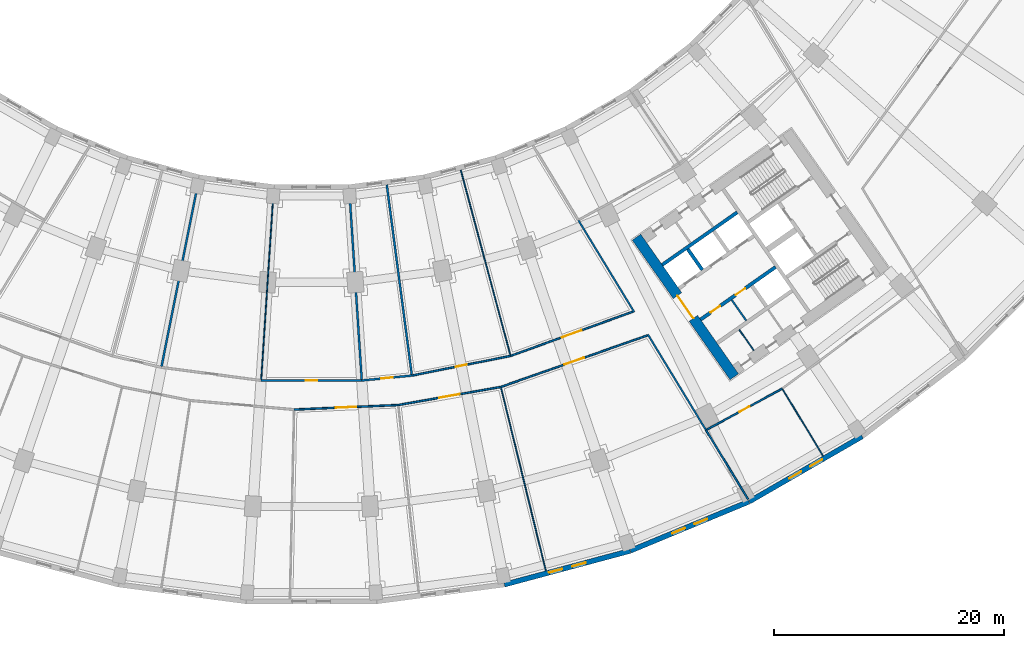
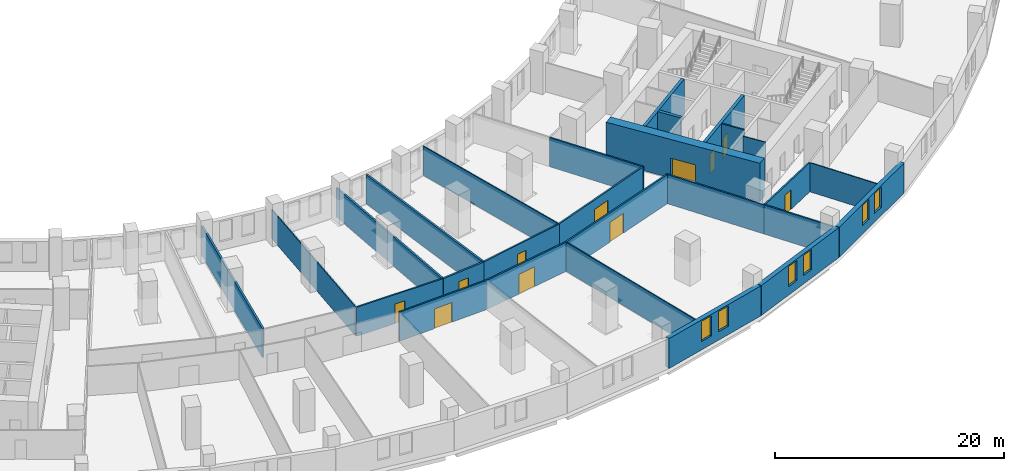
# One storey, part 9 of 20: 27 walls, 11 doors, 6 windows, 17 openings.
"""IFC4 building model written with IfcOpenShell, lengths in metres."""

from ifc_helpers import new_model, si_unit, direction, frame, frame_2d, origin, place, context, subcontext, project, spatial, rectangle, extrude, material, layer, layer_set, type_object, element, fill, save


model = new_model("IFC4")

# Units and contexts
model_context = context("Model", 3, precision=1e-05, world=origin(), true_north=direction((0.0, 1.0)))
body_context = subcontext(model_context, "Body", "Model", "MODEL_VIEW")
ifc_project = project(units=[si_unit("LENGTHUNIT", "METRE"), si_unit("AREAUNIT", "SQUARE_METRE"), si_unit("VOLUMEUNIT", "CUBIC_METRE"), si_unit("PLANEANGLEUNIT", "RADIAN"), si_unit("MASSUNIT", "GRAM", prefix="KILO")], contexts=[model_context])

# Site, building, storey
site_placement = place(None, origin())
site = spatial("IfcSite", under=ifc_project, at=site_placement, CompositionType="ELEMENT")
building_placement = place(site_placement, origin())
building = spatial("IfcBuilding", under=site, at=building_placement, Name="Qamariyya Broadcast Tower", CompositionType="ELEMENT")
storey_placement = place(building_placement, frame((0.0, 0.0, 31.5)))
storey = spatial("IfcBuildingStorey", under=building, at=storey_placement, Name="L04", CompositionType="ELEMENT", Elevation=31.5)

# Wall, opening, door
ifc_material_1 = material(Name="Concrete C70/85", Category="concrete")
ifc_layer_1 = layer(ifc_material_1, 0.89990234375)
ifc_layer_set_1 = layer_set([ifc_layer_1], Name="Core wall 900 mm Concrete C70/85")
wall_type_1 = type_object("IfcWallType", Name="Core wall 900 mm Concrete C70/85", PredefinedType="SHEAR", material=ifc_layer_set_1)
wall_1_placement = place(storey_placement, frame((36.716796875, -66.3369140625, 0.0), z_axis=(0.0, 0.0, 1.0), x_axis=(-0.573577477574, 0.819151315216, 0.0)))
wall_1 = element("IfcWall", 1, at=wall_1_placement, inside=storey, type_object=wall_type_1, Name="k-E-L04-WA", PredefinedType="SHEAR", context=body_context, shape_type="SweptSolid", body=[
    extrude(rectangle(XDim=14.800048828125, YDim=0.89990234375, at=frame_2d((7.39990234375, 0.0))), origin(), (0.0, 0.0, 1.0), 4.10009765625),
])
opening_1_placement = place(wall_1_placement, frame((6.199951171875, 0.0, 0.0)))
opening_1 = element("IfcOpeningElement", 2, at=opening_1_placement, cuts=wall_1, Name="Opening KD3-E1", PredefinedType="OPENING", context=body_context, shape_type="SweptSolid", body=[
    extrude(rectangle(XDim=2.39990234375, YDim=2.10009765625, at=frame_2d((1.199951171875, 1.050048828125))), frame((0.0, 0.4599609375, 0.0), z_axis=(0.0, -1.0, 0.0), x_axis=(1.0, 0.0, 0.0)), (0.0, 0.0, 1.0), 0.919921875),
])
ifc_material_2 = material(Name="Steel fire-resisting door leaf", Category="steel")
door_type_1 = type_object("IfcDoorType", Name="Lift lobby door KD3", OperationType="DOUBLE_DOOR_SINGLE_SWING", PredefinedType="DOOR", material=ifc_material_2)
door_1_placement = place(opening_1_placement, origin())
door_1 = element("IfcDoor", 3, at=door_1_placement, inside=storey, type_object=door_type_1, Name="k-E-L04-WA-D1", OperationType="DOUBLE_DOOR_SINGLE_SWING", OverallHeight=2.10009765625, OverallWidth=2.39990234375, PredefinedType="DOOR", context=body_context, shape_type="SweptSolid", body=[
    extrude(rectangle(XDim=2.39990234375, YDim=2.10009765625, at=frame_2d((1.199951171875, 1.050048828125))), frame((0.0, 0.02490234375, 0.0), z_axis=(0.0, -1.0, 0.0), x_axis=(1.0, 0.0, 0.0)), (0.0, 0.0, 1.0), 0.050048828125),
])
fill(opening_1, door_1)

ifc_material_3 = material(Name="Gypsum board partition")
ifc_layer_2 = layer(ifc_material_3, 0.14990234375)
ifc_layer_set_2 = layer_set([ifc_layer_2], Name="Corridor partition 150 EI 60")
wall_type_2 = type_object("IfcWallType", Name="Corridor partition 150 EI 60", PredefinedType="PARTITIONING", material=ifc_layer_set_2)
wall_2_placement = place(storey_placement, frame((-4.368896484375, -66.656982421875, 0.0), z_axis=(0.0, 0.0, 1.0), x_axis=(1.0, 0.0, 0.0)))
wall_2 = element("IfcWall", 4, at=wall_2_placement, inside=storey, type_object=wall_type_2, Name="Partition L04-032", PredefinedType="PARTITIONING", context=body_context, shape_type="SweptSolid", body=[
    extrude(rectangle(XDim=8.73779296875, YDim=0.14990234375, at=frame_2d((4.368896484375, 0.0))), origin(), (0.0, 0.0, 1.0), 3.10009765625),
])
opening_2_placement = place(wall_2_placement, frame((3.868896484375, 0.0, 0.0)))
opening_2 = element("IfcOpeningElement", 5, at=opening_2_placement, cuts=wall_2, Name="Opening L04-D11", PredefinedType="OPENING", context=body_context, shape_type="SweptSolid", body=[
    extrude(rectangle(XDim=1.0, YDim=2.10009765625, at=frame_2d((0.5, 1.050048828125))), frame((0.0, 0.0849609375, 0.0), z_axis=(0.0, -1.0, 0.0), x_axis=(1.0, 0.0, 0.0)), (0.0, 0.0, 1.0), 0.169921875),
])
ifc_material_4 = material(Name="Timber fire door leaf", Category="wood")
door_type_2 = type_object("IfcDoorType", Name="Fire door 1000 x 2100 FD60", OperationType="NOTDEFINED", PredefinedType="DOOR", material=ifc_material_4)
door_2_placement = place(opening_2_placement, origin())
door_2 = element("IfcDoor", 6, at=door_2_placement, inside=storey, type_object=door_type_2, Name="Door L04-D11", OperationType="SINGLE_SWING_RIGHT", OverallHeight=2.10009765625, OverallWidth=1.0, PredefinedType="DOOR", context=body_context, shape_type="SweptSolid", body=[
    extrude(rectangle(XDim=1.0, YDim=2.10009765625, at=frame_2d((0.5, 1.050048828125))), frame((0.0, 0.02490234375, 0.0), z_axis=(0.0, -1.0, 0.0), x_axis=(1.0, 0.0, 0.0)), (0.0, 0.0, 1.0), 0.050048828125),
])
fill(opening_2, door_2)

wall_3_placement = place(storey_placement, frame((7.53173828125, -68.788818359375, 0.0), z_axis=(0.0, 0.0, 1.0), x_axis=(-0.999048509506, -0.043612792308, 0.0)))
wall_3 = element("IfcWall", 7, at=wall_3_placement, inside=storey, type_object=wall_type_2, Name="Partition L04-035", PredefinedType="PARTITIONING", context=body_context, shape_type="SweptSolid", body=[
    extrude(rectangle(XDim=9.0517578125, YDim=0.14990234375, at=frame_2d((4.52587890625, 0.0))), origin(), (0.0, 0.0, 1.0), 3.10009765625),
])
opening_3_placement = place(wall_3_placement, frame((3.6259765625, 0.0, 0.0)))
opening_3 = element("IfcOpeningElement", 8, at=opening_3_placement, cuts=wall_3, Name="Opening L04-D05", PredefinedType="OPENING", context=body_context, shape_type="SweptSolid", body=[
    extrude(rectangle(XDim=1.800048828125, YDim=2.10009765625, at=frame_2d((0.89990234375, 1.050048828125))), frame((0.0, 0.0849609375, 0.0), z_axis=(0.0, -1.0, 0.0), x_axis=(1.0, 0.0, 0.0)), (0.0, 0.0, 1.0), 0.169921875),
])
door_type_3 = type_object("IfcDoorType", Name="Double fire door 1800 x 2100 FD60", OperationType="NOTDEFINED", PredefinedType="DOOR", material=ifc_material_4)
door_3_placement = place(opening_3_placement, origin())
door_3 = element("IfcDoor", 9, at=door_3_placement, inside=storey, type_object=door_type_3, Name="Door L04-D05", OperationType="DOUBLE_DOOR_SINGLE_SWING", OverallHeight=2.10009765625, OverallWidth=1.800048828125, PredefinedType="DOOR", context=body_context, shape_type="SweptSolid", body=[
    extrude(rectangle(XDim=1.800048828125, YDim=2.10009765625, at=frame_2d((0.89990234375, 1.050048828125))), frame((0.0, 0.02490234375, 0.0), z_axis=(0.0, -1.0, 0.0), x_axis=(1.0, 0.0, 0.0)), (0.0, 0.0, 1.0), 0.050048828125),
])
fill(opening_3, door_3)

wall_4_placement = place(storey_placement, frame((16.446044921875, -67.21728515625, 0.0), z_axis=(0.0, 0.0, 1.0), x_axis=(-0.984813412134, -0.173616080133, 0.0)))
wall_4 = element("IfcWall", 10, at=wall_4_placement, inside=storey, type_object=wall_type_2, Name="Partition L04-039", PredefinedType="PARTITIONING", context=body_context, shape_type="SweptSolid", body=[
    extrude(rectangle(XDim=9.0517578125, YDim=0.14990234375, at=frame_2d((4.52587890625, 0.0))), origin(), (0.0, 0.0, 1.0), 3.10009765625),
])
opening_4_placement = place(wall_4_placement, frame((3.6259765625, 0.0, 0.0)))
opening_4 = element("IfcOpeningElement", 11, at=opening_4_placement, cuts=wall_4, Name="Opening L04-D06", PredefinedType="OPENING", context=body_context, shape_type="SweptSolid", body=[
    extrude(rectangle(XDim=1.800048828125, YDim=2.10009765625, at=frame_2d((0.89990234375, 1.050048828125))), frame((0.0, 0.0849609375, 0.0), z_axis=(0.0, -1.0, 0.0), x_axis=(1.0, 0.0, 0.0)), (0.0, 0.0, 1.0), 0.169921875),
])
door_4_placement = place(opening_4_placement, origin())
door_4 = element("IfcDoor", 12, at=door_4_placement, inside=storey, type_object=door_type_3, Name="Door L04-D06", OperationType="DOUBLE_DOOR_SINGLE_SWING", OverallHeight=2.10009765625, OverallWidth=1.800048828125, PredefinedType="DOOR", context=body_context, shape_type="SweptSolid", body=[
    extrude(rectangle(XDim=1.800048828125, YDim=2.10009765625, at=frame_2d((0.89990234375, 1.050048828125))), frame((0.0, 0.02490234375, 0.0), z_axis=(0.0, -1.0, 0.0), x_axis=(1.0, 0.0, 0.0)), (0.0, 0.0, 1.0), 0.050048828125),
])
fill(opening_4, door_4)

wall_5_placement = place(storey_placement, frame((8.71923828125, -66.228515625, 0.0), z_axis=(0.0, 0.0, 1.0), x_axis=(0.980786466832, 0.195084357342, 0.0)))
wall_5 = element("IfcWall", 13, at=wall_5_placement, inside=storey, type_object=wall_type_2, Name="Partition L04-040", PredefinedType="PARTITIONING", context=body_context, shape_type="SweptSolid", body=[
    extrude(rectangle(XDim=8.73779296875, YDim=0.14990234375, at=frame_2d((4.368896484375, 0.0))), origin(), (0.0, 0.0, 1.0), 3.10009765625),
])
opening_5_placement = place(wall_5_placement, frame((3.868896484375, 0.0, 0.0)))
opening_5 = element("IfcOpeningElement", 14, at=opening_5_placement, cuts=wall_5, Name="Opening L04-D13", PredefinedType="OPENING", context=body_context, shape_type="SweptSolid", body=[
    extrude(rectangle(XDim=1.0, YDim=2.10009765625, at=frame_2d((0.5, 1.050048828125))), frame((0.0, 0.0849609375, 0.0), z_axis=(0.0, -1.0, 0.0), x_axis=(1.0, 0.0, 0.0)), (0.0, 0.0, 1.0), 0.169921875),
])
door_5_placement = place(opening_5_placement, origin())
door_5 = element("IfcDoor", 15, at=door_5_placement, inside=storey, type_object=door_type_2, Name="Door L04-D13", OperationType="SINGLE_SWING_RIGHT", OverallHeight=2.10009765625, OverallWidth=1.0, PredefinedType="DOOR", context=body_context, shape_type="SweptSolid", body=[
    extrude(rectangle(XDim=1.0, YDim=2.10009765625, at=frame_2d((0.5, 1.050048828125))), frame((0.0, 0.02490234375, 0.0), z_axis=(0.0, -1.0, 0.0), x_axis=(1.0, 0.0, 0.0)), (0.0, 0.0, 1.0), 0.050048828125),
])
fill(opening_5, door_5)

wall_6_placement = place(storey_placement, frame((29.174560546875, -62.7412109375, 0.0), z_axis=(0.0, 0.0, 1.0), x_axis=(-0.94336986797, -0.33174281033, 0.0)))
wall_6 = element("IfcWall", 16, at=wall_6_placement, inside=storey, type_object=wall_type_2, Name="Partition L04-043", PredefinedType="PARTITIONING", context=body_context, shape_type="SweptSolid", body=[
    extrude(rectangle(XDim=13.49267578125, YDim=0.14990234375, at=frame_2d((6.746337890625, 0.0))), origin(), (0.0, 0.0, 1.0), 3.10009765625),
])
opening_6_placement = place(wall_6_placement, frame((5.846435546875, 0.0, 0.0)))
opening_6 = element("IfcOpeningElement", 17, at=opening_6_placement, cuts=wall_6, Name="Opening L04-D07", PredefinedType="OPENING", context=body_context, shape_type="SweptSolid", body=[
    extrude(rectangle(XDim=1.800048828125, YDim=2.10009765625, at=frame_2d((0.89990234375, 1.050048828125))), frame((0.0, 0.0849609375, 0.0), z_axis=(0.0, -1.0, 0.0), x_axis=(1.0, 0.0, 0.0)), (0.0, 0.0, 1.0), 0.169921875),
])
door_6_placement = place(opening_6_placement, origin())
door_6 = element("IfcDoor", 18, at=door_6_placement, inside=storey, type_object=door_type_3, Name="Door L04-D07", OperationType="DOUBLE_DOOR_SINGLE_SWING", OverallHeight=2.10009765625, OverallWidth=1.800048828125, PredefinedType="DOOR", context=body_context, shape_type="SweptSolid", body=[
    extrude(rectangle(XDim=1.800048828125, YDim=2.10009765625, at=frame_2d((0.89990234375, 1.050048828125))), frame((0.0, 0.02490234375, 0.0), z_axis=(0.0, -1.0, 0.0), x_axis=(1.0, 0.0, 0.0)), (0.0, 0.0, 1.0), 0.050048828125),
])
fill(opening_6, door_6)

wall_7_placement = place(storey_placement, frame((17.2890625, -64.52392578125, 0.0), z_axis=(0.0, 0.0, 1.0), x_axis=(0.940369024046, 0.340155991589, 0.0)))
wall_7 = element("IfcWall", 19, at=wall_7_placement, inside=storey, type_object=wall_type_2, Name="Partition L04-044", PredefinedType="PARTITIONING", context=body_context, shape_type="SweptSolid", body=[
    extrude(rectangle(XDim=11.304931640625, YDim=0.14990234375, at=frame_2d((5.65234375, 0.0))), origin(), (0.0, 0.0, 1.0), 3.10009765625),
])
opening_7_placement = place(wall_7_placement, frame((4.75244140625, 0.0, 0.0)))
opening_7 = element("IfcOpeningElement", 20, at=opening_7_placement, cuts=wall_7, Name="Opening L04-D14", PredefinedType="OPENING", context=body_context, shape_type="SweptSolid", body=[
    extrude(rectangle(XDim=1.800048828125, YDim=2.10009765625, at=frame_2d((0.89990234375, 1.050048828125))), frame((0.0, 0.0849609375, 0.0), z_axis=(0.0, -1.0, 0.0), x_axis=(1.0, 0.0, 0.0)), (0.0, 0.0, 1.0), 0.169921875),
])
door_7_placement = place(opening_7_placement, origin())
door_7 = element("IfcDoor", 21, at=door_7_placement, inside=storey, type_object=door_type_3, Name="Door L04-D14", OperationType="DOUBLE_DOOR_SINGLE_SWING", OverallHeight=2.10009765625, OverallWidth=1.800048828125, PredefinedType="DOOR", context=body_context, shape_type="SweptSolid", body=[
    extrude(rectangle(XDim=1.800048828125, YDim=2.10009765625, at=frame_2d((0.89990234375, 1.050048828125))), frame((0.0, 0.02490234375, 0.0), z_axis=(0.0, -1.0, 0.0), x_axis=(1.0, 0.0, 0.0)), (0.0, 0.0, 1.0), 0.050048828125),
])
fill(opening_7, door_7)

# Walls
wall_8_placement = place(storey_placement, frame((23.174072265625, -52.732421875, 0.0), z_axis=(0.0, 0.0, 1.0), x_axis=(0.519577254173, -0.854423476355, 0.0)))
element("IfcWall", 22, at=wall_8_placement, inside=storey, type_object=wall_type_2, Name="Partition L04-047", PredefinedType="PARTITIONING", context=body_context, shape_type="SweptSolid", body=[
    extrude(rectangle(XDim=9.344970703125, YDim=0.14990234375, at=frame_2d((4.67236328125, 0.0))), origin(), (0.0, 0.0, 1.0), 3.10009765625),
])
wall_9_placement = place(storey_placement, frame((29.20654296875, -62.65234375, 0.0), z_axis=(0.0, 0.0, 1.0), x_axis=(0.519573423316, -0.854425805897, 0.0)))
element("IfcWall", 23, at=wall_9_placement, inside=storey, type_object=wall_type_2, Name="Partition L04-050", PredefinedType="PARTITIONING", context=body_context, shape_type="SweptSolid", body=[
    extrude(rectangle(XDim=9.72607421875, YDim=0.14990234375, at=frame_2d((4.863037109375, 0.0))), origin(), (0.0, 0.0, 1.0), 3.10009765625),
])
wall_10_placement = place(storey_placement, frame((34.260009765625, -70.962646484375, 0.0), z_axis=(0.0, 0.0, 1.0), x_axis=(0.519582317334, -0.854420397412, 0.0)))
element("IfcWall", 24, at=wall_10_placement, inside=storey, type_object=wall_type_2, Name="Partition L04-052", PredefinedType="PARTITIONING", context=body_context, shape_type="SweptSolid", body=[
    extrude(rectangle(XDim=7.03173828125, YDim=0.14990234375, at=frame_2d((3.515869140625, 0.0))), origin(), (0.0, 0.0, 1.0), 3.10009765625),
])

# Wall, opening, door
wall_11_placement = place(storey_placement, frame((40.881103515625, -67.365966796875, 0.0), z_axis=(0.0, 0.0, 1.0), x_axis=(-0.87872597875, -0.477326569835, 0.0)))
wall_11 = element("IfcWall", 25, at=wall_11_placement, inside=storey, type_object=wall_type_2, Name="Partition L04-053", PredefinedType="PARTITIONING", context=body_context, shape_type="SweptSolid", body=[
    extrude(rectangle(XDim=7.4599609375, YDim=0.14990234375, at=frame_2d((3.72998046875, 0.0))), origin(), (0.0, 0.0, 1.0), 3.10009765625),
])
opening_8_placement = place(wall_11_placement, frame((3.22998046875, 0.0, 0.0)))
opening_8 = element("IfcOpeningElement", 26, at=opening_8_placement, cuts=wall_11, Name="Opening L04-D24", PredefinedType="OPENING", context=body_context, shape_type="SweptSolid", body=[
    extrude(rectangle(XDim=1.0, YDim=2.10009765625, at=frame_2d((0.5, 1.050048828125))), frame((0.0, 0.0849609375, 0.0), z_axis=(0.0, -1.0, 0.0), x_axis=(1.0, 0.0, 0.0)), (0.0, 0.0, 1.0), 0.169921875),
])
door_8_placement = place(opening_8_placement, origin())
door_8 = element("IfcDoor", 27, at=door_8_placement, inside=storey, type_object=door_type_2, Name="Door L04-D24", OperationType="SINGLE_SWING_RIGHT", OverallHeight=2.10009765625, OverallWidth=1.0, PredefinedType="DOOR", context=body_context, shape_type="SweptSolid", body=[
    extrude(rectangle(XDim=1.0, YDim=2.10009765625, at=frame_2d((0.5, 1.050048828125))), frame((0.0, 0.02490234375, 0.0), z_axis=(0.0, -1.0, 0.0), x_axis=(1.0, 0.0, 0.0)), (0.0, 0.0, 1.0), 0.050048828125),
])
fill(opening_8, door_8)

# Walls
ifc_material_5 = material(Name="Gypsum board partition on steel studs", Category="steel")
ifc_layer_3 = layer(ifc_material_5, 0.14990234375)
ifc_layer_set_3 = layer_set([ifc_layer_3], Name="Gypsum board partition 150 mm")
wall_type_3 = type_object("IfcWallType", Name="Gypsum board partition 150 mm", PredefinedType="PARTITIONING", material=ifc_layer_set_3)
wall_12_placement = place(storey_placement, frame((36.49462890625, -59.65625, 0.0), z_axis=(0.0, 0.0, 1.0), x_axis=(0.573633636671, -0.819111989218, 0.0)))
element("IfcWall", 28, at=wall_12_placement, inside=storey, type_object=wall_type_3, Name="k-E-L04-SC320", PredefinedType="PARTITIONING", context=body_context, shape_type="SweptSolid", body=[
    extrude(rectangle(XDim=2.199951171875, YDim=0.14990234375, at=frame_2d((1.10009765625, 0.0))), origin(), (0.0, 0.0, 1.0), 4.10009765625),
])
ifc_material_6 = material(Name="Concrete C60/75", Category="concrete")
ifc_layer_4 = layer(ifc_material_6, 0.300048828125)
ifc_layer_set_4 = layer_set([ifc_layer_4], Name="Lift shaft wall 300 mm Concrete C60/75")
wall_type_4 = type_object("IfcWallType", Name="Lift shaft wall 300 mm Concrete C60/75", PredefinedType="SOLIDWALL", material=ifc_layer_set_4)
wall_13_placement = place(storey_placement, frame((30.460693359375, -56.61767578125, 0.0), z_axis=(0.0, 0.0, 1.0), x_axis=(0.819142461705, 0.573590121456, 0.0)))
element("IfcWall", 29, at=wall_13_placement, inside=storey, type_object=wall_type_4, Name="k-E-L04-NB0", PredefinedType="SOLIDWALL", context=body_context, shape_type="SweptSolid", body=[
    extrude(rectangle(XDim=7.949951171875, YDim=0.300048828125, at=frame_2d((3.97509765625, 0.0))), origin(), (0.0, 0.0, 1.0), 4.10009765625),
])
wall_14_placement = place(storey_placement, frame((33.9384765625, -57.051513671875, 0.0), z_axis=(0.0, 0.0, 1.0), x_axis=(-0.573581496053, 0.819148501424, 0.0)))
element("IfcWall", 30, at=wall_14_placement, inside=storey, type_object=wall_type_4, Name="k-E-L04-ND0", PredefinedType="SOLIDWALL", context=body_context, shape_type="SweptSolid", body=[
    extrude(rectangle(XDim=2.2001953125, YDim=0.300048828125, at=frame_2d((1.10009765625, 0.0))), origin(), (0.0, 0.0, 1.0), 4.10009765625),
])

# Wall, openings, doors
wall_15_placement = place(storey_placement, frame((33.787353515625, -61.368896484375, 0.0), z_axis=(0.0, 0.0, 1.0), x_axis=(0.819152564888, 0.573575692858, 0.0)))
wall_15 = element("IfcWall", 31, at=wall_15_placement, inside=storey, type_object=wall_type_4, Name="k-E-L04-SF0", PredefinedType="SOLIDWALL", context=body_context, shape_type="SweptSolid", body=[
    extrude(rectangle(XDim=7.9501953125, YDim=0.300048828125, at=frame_2d((3.97509765625, 0.0))), origin(), (0.0, 0.0, 1.0), 4.10009765625),
])
opening_9_placement = place(wall_15_placement, frame((1.0625, 0.0, 0.0)))
opening_9 = element("IfcOpeningElement", 32, at=opening_9_placement, cuts=wall_15, Name="Opening KD6-E1", PredefinedType="OPENING", context=body_context, shape_type="SweptSolid", body=[
    extrude(rectangle(XDim=1.0, YDim=2.10009765625, at=frame_2d((0.5, 1.050048828125))), frame((0.0, 0.159912109375, 0.0), z_axis=(0.0, -1.0, 0.0), x_axis=(1.0, 0.0, 0.0)), (0.0, 0.0, 1.0), 0.320068359375),
])
opening_10_placement = place(wall_15_placement, frame((3.737548828125, 0.0, 0.0)))
opening_10 = element("IfcOpeningElement", 33, at=opening_10_placement, cuts=wall_15, Name="Opening KD6-E2", PredefinedType="OPENING", context=body_context, shape_type="SweptSolid", body=[
    extrude(rectangle(XDim=1.0, YDim=2.10009765625, at=frame_2d((0.5, 1.050048828125))), frame((0.0, 0.159912109375, 0.0), z_axis=(0.0, -1.0, 0.0), x_axis=(1.0, 0.0, 0.0)), (0.0, 0.0, 1.0), 0.320068359375),
])
door_type_4 = type_object("IfcDoorType", Name="Core room door KD6", OperationType="SINGLE_SWING_LEFT", PredefinedType="DOOR", material=ifc_material_2)
door_9_placement = place(opening_9_placement, origin())
door_9 = element("IfcDoor", 34, at=door_9_placement, inside=storey, type_object=door_type_4, Name="k-E-L04-SF0-D5", OperationType="SINGLE_SWING_LEFT", OverallHeight=2.10009765625, OverallWidth=1.0, PredefinedType="DOOR", context=body_context, shape_type="SweptSolid", body=[
    extrude(rectangle(XDim=1.0, YDim=2.10009765625, at=frame_2d((0.5, 1.050048828125))), frame((0.0, 0.02490234375, 0.0), z_axis=(0.0, -1.0, 0.0), x_axis=(1.0, 0.0, 0.0)), (0.0, 0.0, 1.0), 0.050048828125),
])
fill(opening_9, door_9)
door_10_placement = place(opening_10_placement, origin())
door_10 = element("IfcDoor", 35, at=door_10_placement, inside=storey, type_object=door_type_4, Name="k-E-L04-SF0-D6", OperationType="SINGLE_SWING_RIGHT", OverallHeight=2.10009765625, OverallWidth=1.0, PredefinedType="DOOR", context=body_context, shape_type="SweptSolid", body=[
    extrude(rectangle(XDim=1.0, YDim=2.10009765625, at=frame_2d((0.5, 1.050048828125))), frame((0.0, 0.02490234375, 0.0), z_axis=(0.0, -1.0, 0.0), x_axis=(1.0, 0.0, 0.0)), (0.0, 0.0, 1.0), 0.050048828125),
])
fill(opening_10, door_10)

# Walls
ifc_layer_5 = layer(ifc_material_3, 0.10009765625)
ifc_layer_set_5 = layer_set([ifc_layer_5], Name="Partition 100")
wall_type_5 = type_object("IfcWallType", Name="Partition 100", PredefinedType="PARTITIONING", material=ifc_layer_set_5)
wall_16_placement = place(storey_placement, frame((-3.283203125, -50.092529296875, 0.0), z_axis=(0.0, 0.0, 1.0), x_axis=(-0.065405026615, -0.997858798876, 0.0)))
element("IfcWall", 36, at=wall_16_placement, inside=storey, type_object=wall_type_5, Name="Partition L04-033", PredefinedType="PARTITIONING", context=body_context, shape_type="SweptSolid", body=[
    extrude(rectangle(XDim=16.52490234375, YDim=0.10009765625, at=frame_2d((8.262451171875, 0.0))), origin(), (0.0, 0.0, 1.0), 3.10009765625),
])
wall_17_placement = place(storey_placement, frame((12.965087890625, -48.386474609375, 0.0), z_axis=(0.0, 0.0, 1.0), x_axis=(0.258824622624, -0.965924331779, 0.0)))
element("IfcWall", 37, at=wall_17_placement, inside=storey, type_object=wall_type_5, Name="Partition L04-042", PredefinedType="PARTITIONING", context=body_context, shape_type="SweptSolid", body=[
    extrude(rectangle(XDim=16.631591796875, YDim=0.10009765625, at=frame_2d((8.31591796875, 0.0))), origin(), (0.0, 0.0, 1.0), 3.10009765625),
])
wall_18_placement = place(storey_placement, frame((20.35205078125, -83.182373046875, 0.0), z_axis=(0.0, 0.0, 1.0), x_axis=(-0.23765209547, 0.971350339228, 0.0)))
element("IfcWall", 38, at=wall_18_placement, inside=storey, type_object=wall_type_5, Name="Partition L04-046", PredefinedType="PARTITIONING", context=body_context, shape_type="SweptSolid", body=[
    extrude(rectangle(XDim=16.36083984375, YDim=0.10009765625, at=frame_2d((8.180419921875, 0.0))), origin(), (0.0, 0.0, 1.0), 3.10009765625),
])
wall_19_placement = place(storey_placement, frame((44.427734375, -73.2099609375, 0.0), z_axis=(0.0, 0.0, 1.0), x_axis=(-0.518790606157, 0.85490134341, 0.0)))
element("IfcWall", 39, at=wall_19_placement, inside=storey, type_object=wall_type_5, Name="Partition L04-057", PredefinedType="PARTITIONING", context=body_context, shape_type="SweptSolid", body=[
    extrude(rectangle(XDim=6.760986328125, YDim=0.10009765625, at=frame_2d((3.38037109375, 0.0))), origin(), (0.0, 0.0, 1.0), 3.10009765625),
])

# Wall, openings, windows
ifc_material_7 = material(Name="Precast concrete C40/50 with terracotta facing", Category="masonry")
ifc_layer_6 = layer(ifc_material_7, 0.449951171875)
ifc_layer_set_6 = layer_set([ifc_layer_6], Name="Precast concrete C40/50 wall 450, terracotta faced")
wall_type_6 = type_object("IfcWallType", Name="Precast concrete C40/50 wall 450, terracotta faced", PredefinedType="SOLIDWALL", material=ifc_layer_set_6)
wall_20_placement = place(storey_placement, frame((16.753662109375, -84.37939453125, 0.0), z_axis=(0.0, 0.0, 1.0), x_axis=(0.965923678926, 0.258827059038, 0.0)))
wall_20 = element("IfcWall", 40, at=wall_20_placement, inside=storey, type_object=wall_type_6, Name="e-wl-L04-out120", PredefinedType="SOLIDWALL", context=body_context, shape_type="SweptSolid", body=[
    extrude(rectangle(XDim=11.3125, YDim=0.449951171875, at=frame_2d((5.65625, 0.0))), origin(), (0.0, 0.0, 1.0), 3.199951171875),
])
opening_11_placement = place(wall_20_placement, frame((4.00634765625, 0.0, 0.89990234375)))
opening_11 = element("IfcOpeningElement", 41, at=opening_11_placement, cuts=wall_20, Name="Opening W3", PredefinedType="OPENING", context=body_context, shape_type="SweptSolid", body=[
    extrude(rectangle(XDim=1.199951171875, YDim=2.14990234375, at=frame_2d((0.60009765625, 1.074951171875))), frame((0.0, 0.23486328125, 0.0), z_axis=(0.0, -1.0, 0.0), x_axis=(1.0, 0.0, 0.0)), (0.0, 0.0, 1.0), 0.469970703125),
])
opening_12_placement = place(wall_20_placement, frame((6.106201171875, 0.0, 0.89990234375)))
opening_12 = element("IfcOpeningElement", 42, at=opening_12_placement, cuts=wall_20, Name="Opening W3", PredefinedType="OPENING", context=body_context, shape_type="SweptSolid", body=[
    extrude(rectangle(XDim=1.199951171875, YDim=2.14990234375, at=frame_2d((0.60009765625, 1.074951171875))), frame((0.0, 0.23486328125, 0.0), z_axis=(0.0, -1.0, 0.0), x_axis=(1.0, 0.0, 0.0)), (0.0, 0.0, 1.0), 0.469970703125),
])
ifc_material_8 = material(Name="Clear low-e double glazed unit in aluminium frame", Category="aluminium")
window_type = type_object("IfcWindowType", Name="Podium window 1200 x 2150", PartitioningType="SINGLE_PANEL", PredefinedType="WINDOW", material=ifc_material_8)
window_1_placement = place(opening_11_placement, origin())
window_1 = element("IfcWindow", 43, at=window_1_placement, inside=storey, type_object=window_type, Name="e-w-L04-out12a", OverallHeight=2.14990234375, OverallWidth=1.199951171875, PartitioningType="SINGLE_PANEL", PredefinedType="WINDOW", context=body_context, shape_type="SweptSolid", body=[
    extrude(rectangle(XDim=1.199951171875, YDim=2.14990234375, at=frame_2d((0.60009765625, 1.074951171875))), frame((0.0, 0.030029296875, 0.0), z_axis=(0.0, -1.0, 0.0), x_axis=(1.0, 0.0, 0.0)), (0.0, 0.0, 1.0), 0.06005859375),
])
fill(opening_11, window_1)
window_2_placement = place(opening_12_placement, origin())
window_2 = element("IfcWindow", 44, at=window_2_placement, inside=storey, type_object=window_type, Name="e-w-L04-out12b", OverallHeight=2.14990234375, OverallWidth=1.199951171875, PartitioningType="SINGLE_PANEL", PredefinedType="WINDOW", context=body_context, shape_type="SweptSolid", body=[
    extrude(rectangle(XDim=1.199951171875, YDim=2.14990234375, at=frame_2d((0.60009765625, 1.074951171875))), frame((0.0, 0.030029296875, 0.0), z_axis=(0.0, -1.0, 0.0), x_axis=(1.0, 0.0, 0.0)), (0.0, 0.0, 1.0), 0.06005859375),
])
fill(opening_12, window_2)

wall_21_placement = place(storey_placement, frame((27.7060546875, -81.436767578125, 0.0), z_axis=(0.0, 0.0, 1.0), x_axis=(0.923874126662, 0.382696482978, 0.0)))
wall_21 = element("IfcWall", 45, at=wall_21_placement, inside=storey, type_object=wall_type_6, Name="e-wl-L04-out130", PredefinedType="SOLIDWALL", context=body_context, shape_type="SweptSolid", body=[
    extrude(rectangle(XDim=11.134765625, YDim=0.449951171875, at=frame_2d((5.5673828125, 0.0))), origin(), (0.0, 0.0, 1.0), 3.199951171875),
])
opening_13_placement = place(wall_21_placement, frame((3.917236328125, 0.0, 0.89990234375)))
opening_13 = element("IfcOpeningElement", 46, at=opening_13_placement, cuts=wall_21, Name="Opening W3", PredefinedType="OPENING", context=body_context, shape_type="SweptSolid", body=[
    extrude(rectangle(XDim=1.199951171875, YDim=2.14990234375, at=frame_2d((0.60009765625, 1.074951171875))), frame((0.0, 0.23486328125, 0.0), z_axis=(0.0, -1.0, 0.0), x_axis=(1.0, 0.0, 0.0)), (0.0, 0.0, 1.0), 0.469970703125),
])
opening_14_placement = place(wall_21_placement, frame((6.017333984375, 0.0, 0.89990234375)))
opening_14 = element("IfcOpeningElement", 47, at=opening_14_placement, cuts=wall_21, Name="Opening W3", PredefinedType="OPENING", context=body_context, shape_type="SweptSolid", body=[
    extrude(rectangle(XDim=1.199951171875, YDim=2.14990234375, at=frame_2d((0.60009765625, 1.074951171875))), frame((0.0, 0.23486328125, 0.0), z_axis=(0.0, -1.0, 0.0), x_axis=(1.0, 0.0, 0.0)), (0.0, 0.0, 1.0), 0.469970703125),
])
window_3_placement = place(opening_13_placement, origin())
window_3 = element("IfcWindow", 48, at=window_3_placement, inside=storey, type_object=window_type, Name="e-w-L04-out13a", OverallHeight=2.14990234375, OverallWidth=1.199951171875, PartitioningType="SINGLE_PANEL", PredefinedType="WINDOW", context=body_context, shape_type="SweptSolid", body=[
    extrude(rectangle(XDim=1.199951171875, YDim=2.14990234375, at=frame_2d((0.60009765625, 1.074951171875))), frame((0.0, 0.030029296875, 0.0), z_axis=(0.0, -1.0, 0.0), x_axis=(1.0, 0.0, 0.0)), (0.0, 0.0, 1.0), 0.06005859375),
])
fill(opening_13, window_3)
window_4_placement = place(opening_14_placement, origin())
window_4 = element("IfcWindow", 49, at=window_4_placement, inside=storey, type_object=window_type, Name="e-w-L04-out13b", OverallHeight=2.14990234375, OverallWidth=1.199951171875, PartitioningType="SINGLE_PANEL", PredefinedType="WINDOW", context=body_context, shape_type="SweptSolid", body=[
    extrude(rectangle(XDim=1.199951171875, YDim=2.14990234375, at=frame_2d((0.60009765625, 1.074951171875))), frame((0.0, 0.030029296875, 0.0), z_axis=(0.0, -1.0, 0.0), x_axis=(1.0, 0.0, 0.0)), (0.0, 0.0, 1.0), 0.06005859375),
])
fill(opening_14, window_4)

wall_22_placement = place(storey_placement, frame((38.021728515625, -77.16796875, 0.0), z_axis=(0.0, 0.0, 1.0), x_axis=(0.866024577697, 0.500001430823, 0.0)))
wall_22 = element("IfcWall", 50, at=wall_22_placement, inside=storey, type_object=wall_type_6, Name="e-wl-L04-out140", PredefinedType="SOLIDWALL", context=body_context, shape_type="SweptSolid", body=[
    extrude(rectangle(XDim=11.3125, YDim=0.449951171875, at=frame_2d((5.65625, 0.0))), origin(), (0.0, 0.0, 1.0), 3.199951171875),
])
opening_15_placement = place(wall_22_placement, frame((4.00634765625, 0.0, 0.89990234375)))
opening_15 = element("IfcOpeningElement", 51, at=opening_15_placement, cuts=wall_22, Name="Opening W3", PredefinedType="OPENING", context=body_context, shape_type="SweptSolid", body=[
    extrude(rectangle(XDim=1.199951171875, YDim=2.14990234375, at=frame_2d((0.60009765625, 1.074951171875))), frame((0.0, 0.23486328125, 0.0), z_axis=(0.0, -1.0, 0.0), x_axis=(1.0, 0.0, 0.0)), (0.0, 0.0, 1.0), 0.469970703125),
])
opening_16_placement = place(wall_22_placement, frame((6.106201171875, 0.0, 0.89990234375)))
opening_16 = element("IfcOpeningElement", 52, at=opening_16_placement, cuts=wall_22, Name="Opening W3", PredefinedType="OPENING", context=body_context, shape_type="SweptSolid", body=[
    extrude(rectangle(XDim=1.199951171875, YDim=2.14990234375, at=frame_2d((0.60009765625, 1.074951171875))), frame((0.0, 0.23486328125, 0.0), z_axis=(0.0, -1.0, 0.0), x_axis=(1.0, 0.0, 0.0)), (0.0, 0.0, 1.0), 0.469970703125),
])
window_5_placement = place(opening_15_placement, origin())
window_5 = element("IfcWindow", 53, at=window_5_placement, inside=storey, type_object=window_type, Name="e-w-L04-out14a", OverallHeight=2.14990234375, OverallWidth=1.199951171875, PartitioningType="SINGLE_PANEL", PredefinedType="WINDOW", context=body_context, shape_type="SweptSolid", body=[
    extrude(rectangle(XDim=1.199951171875, YDim=2.14990234375, at=frame_2d((0.60009765625, 1.074951171875))), frame((0.0, 0.030029296875, 0.0), z_axis=(0.0, -1.0, 0.0), x_axis=(1.0, 0.0, 0.0)), (0.0, 0.0, 1.0), 0.06005859375),
])
fill(opening_15, window_5)
window_6_placement = place(opening_16_placement, origin())
window_6 = element("IfcWindow", 54, at=window_6_placement, inside=storey, type_object=window_type, Name="e-w-L04-out14b", OverallHeight=2.14990234375, OverallWidth=1.199951171875, PartitioningType="SINGLE_PANEL", PredefinedType="WINDOW", context=body_context, shape_type="SweptSolid", body=[
    extrude(rectangle(XDim=1.199951171875, YDim=2.14990234375, at=frame_2d((0.60009765625, 1.074951171875))), frame((0.0, 0.030029296875, 0.0), z_axis=(0.0, -1.0, 0.0), x_axis=(1.0, 0.0, 0.0)), (0.0, 0.0, 1.0), 0.06005859375),
])
fill(opening_16, window_6)

# Walls
ifc_material_9 = material(Name="Fire-rated gypsum shaft liner on steel studs", Category="steel")
ifc_layer_7 = layer(ifc_material_9, 0.10009765625)
ifc_layer_set_7 = layer_set([ifc_layer_7], Name="Riser wall 100 mm")
wall_type_7 = type_object("IfcWallType", Name="Riser wall 100 mm", PredefinedType="PLUMBINGWALL", material=ifc_layer_set_7)
wall_23_placement = place(storey_placement, frame((37.150390625, -62.2490234375, 0.0), z_axis=(0.0, 0.0, 1.0), x_axis=(0.573633636671, -0.819111989218, 0.0)))
element("IfcWall", 55, at=wall_23_placement, inside=storey, type_object=wall_type_7, Name="k-E-L04-SP225", PredefinedType="PLUMBINGWALL", context=body_context, shape_type="SweptSolid", body=[
    extrude(rectangle(XDim=2.199951171875, YDim=0.10009765625, at=frame_2d((1.10009765625, 0.0))), origin(), (0.0, 0.0, 1.0), 4.10009765625),
])
ifc_layer_8 = layer(ifc_material_3, 0.179931640625)
ifc_layer_set_8 = layer_set([ifc_layer_8], Name="Studio acoustic partition 180 EI 60")
wall_type_8 = type_object("IfcWallType", Name="Studio acoustic partition 180 EI 60", PredefinedType="PARTITIONING", material=ifc_layer_set_8)
for number, where, z_axis, x_axis, name in (
    (56, (-9.79345703125, -49.2353515625, 0.0), (0.0, 0.0, 1.0), (-0.195089444663, -0.980785454919, 0.0), "Partition L04-031"),
    (57, (3.283203125, -50.092529296875, 0.0), (0.0, 0.0, 1.0), (0.065405001109, -0.997858800547, 0.0), "Partition L04-036"),
):
    element("IfcWall", number, at=place(storey_placement, frame(where, z_axis=z_axis, x_axis=x_axis)), inside=storey, type_object=wall_type_8, Name=name, PredefinedType="PARTITIONING", context=body_context, shape_type="SweptSolid", body=[
        extrude(rectangle(XDim=16.510009765625, YDim=0.179931640625, at=frame_2d((8.2548828125, 0.0))), origin(), (0.0, 0.0, 1.0), 3.10009765625),
    ])

# Wall, opening, door
wall_24_placement = place(storey_placement, frame((4.368896484375, -66.656982421875, 0.0), z_axis=(0.0, 0.0, 1.0), x_axis=(0.995184826457, 0.098016127192, 0.0)))
wall_24 = element("IfcWall", 58, at=wall_24_placement, inside=storey, type_object=wall_type_8, Name="Partition L04-037", PredefinedType="PARTITIONING", context=body_context, shape_type="SweptSolid", body=[
    extrude(rectangle(XDim=4.371337890625, YDim=0.179931640625, at=frame_2d((2.185546875, 0.0))), origin(), (0.0, 0.0, 1.0), 3.10009765625),
])
opening_17_placement = place(wall_24_placement, frame((1.685546875, 0.0, 0.0)))
opening_17 = element("IfcOpeningElement", 59, at=opening_17_placement, cuts=wall_24, Name="Opening L04-D12", PredefinedType="OPENING", context=body_context, shape_type="SweptSolid", body=[
    extrude(rectangle(XDim=1.0, YDim=2.10009765625, at=frame_2d((0.5, 1.050048828125))), frame((0.0, 0.099853515625, 0.0), z_axis=(0.0, -1.0, 0.0), x_axis=(1.0, 0.0, 0.0)), (0.0, 0.0, 1.0), 0.199951171875),
])
door_11_placement = place(opening_17_placement, origin())
door_11 = element("IfcDoor", 60, at=door_11_placement, inside=storey, type_object=door_type_2, Name="Door L04-D12", OperationType="SINGLE_SWING_RIGHT", OverallHeight=2.10009765625, OverallWidth=1.0, PredefinedType="DOOR", context=body_context, shape_type="SweptSolid", body=[
    extrude(rectangle(XDim=1.0, YDim=2.10009765625, at=frame_2d((0.5, 1.050048828125))), frame((0.0, 0.02490234375, 0.0), z_axis=(0.0, -1.0, 0.0), x_axis=(1.0, 0.0, 0.0)), (0.0, 0.0, 1.0), 0.050048828125),
])
fill(opening_17, door_11)

# Wall
wall_25_placement = place(storey_placement, frame((6.53857421875, -49.6650390625, 0.0), z_axis=(0.0, 0.0, 1.0), x_axis=(0.130529385637, -0.991444440947, 0.0)))
element("IfcWall", 61, at=wall_25_placement, inside=storey, type_object=wall_type_8, Name="Partition L04-038", PredefinedType="PARTITIONING", context=body_context, shape_type="SweptSolid", body=[
    extrude(rectangle(XDim=16.616455078125, YDim=0.179931640625, at=frame_2d((8.30810546875, 0.0))), origin(), (0.0, 0.0, 1.0), 3.10009765625),
])

save(model, "model.ifc")
